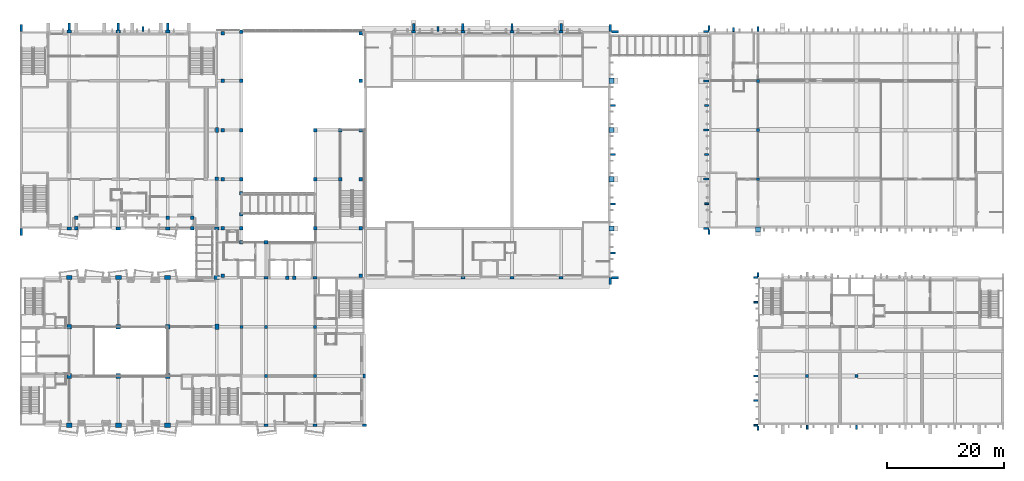
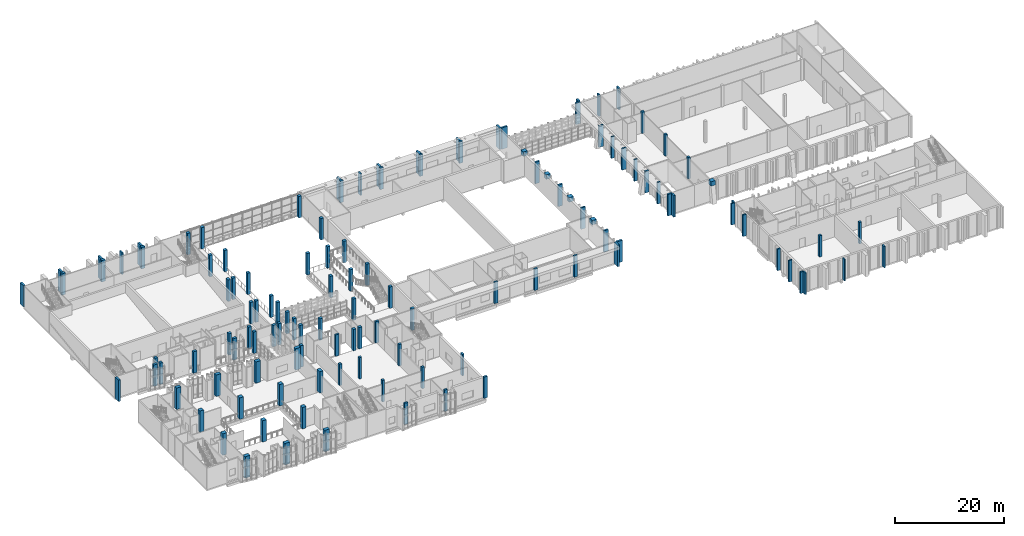
# One storey, part 1 of 86: 124 columns.
"""IFC4 building model written with IfcOpenShell, lengths in metres."""

from ifc_helpers import new_model, si_unit, direction, frame, origin, origin_2d, place, context, subcontext, project, spatial, rectangle, extrude, material, material_profile, profile_set, type_object, element, save


model = new_model("IFC4")

# Units and contexts
model_context = context("Model", 3, precision=1e-05, world=origin(), true_north=direction((0.0, 1.0)))
body_context = subcontext(model_context, "Body", "Model", "MODEL_VIEW")
ifc_project = project(units=[si_unit("LENGTHUNIT", "METRE"), si_unit("AREAUNIT", "SQUARE_METRE"), si_unit("VOLUMEUNIT", "CUBIC_METRE"), si_unit("PLANEANGLEUNIT", "RADIAN"), si_unit("MASSUNIT", "GRAM", prefix="KILO")], contexts=[model_context])

# Site, building, storey
site_placement = place(None, origin())
site = spatial("IfcSite", under=ifc_project, at=site_placement, CompositionType="ELEMENT")
building_placement = place(site_placement, origin())
building = spatial("IfcBuilding", under=site, at=building_placement, Name="Kiln Court Media Centre", CompositionType="ELEMENT")
storey_placement = place(building_placement, frame((0.0, 0.0, 10.199951171875)))
storey = spatial("IfcBuildingStorey", under=building, at=storey_placement, Name="L02", CompositionType="ELEMENT", Elevation=10.199951171875)

# Columns
ifc_material_1 = material(Name="Concrete C40/50", Category="concrete")
ifc_material_profile_1 = material_profile(ifc_material_1, rectangle(XDim=1.0, YDim=0.699951171875, at=origin_2d()), Name="RC 1000x700")
ifc_profile_set_1 = profile_set([ifc_material_profile_1], Name="Concrete C40/50")
column_type_1 = type_object("IfcColumnType", Name="Concrete C40/50 column 1000x700", PredefinedType="COLUMN", material=ifc_profile_set_1)
for number, where, z_axis, x_axis, name in (
    (1, (8.39990234375, 0.0, 0.0), (0.0, 0.0, 1.0), (1.0, 0.0, 0.0), "L02-C-1000"),
    (2, (8.39990234375, 25.199951171875, 0.0), (0.0, 0.0, 1.0), (1.0, 0.0, 0.0), "L02-C-1003"),
    (3, (16.800048828125, 0.0, 0.0), (0.0, 0.0, 1.0), (1.0, 0.0, 0.0), "L02-C-1004"),
    (4, (16.800048828125, 25.199951171875, 0.0), (0.0, 0.0, 1.0), (1.0, 0.0, 0.0), "L02-C-1007"),
    (5, (25.199951171875, 0.0, 0.0), (0.0, 0.0, 1.0), (1.0, 0.0, 0.0), "L02-C-1008"),
    (6, (25.199951171875, 25.199951171875, 0.0), (0.0, 0.0, 1.0), (1.0, 0.0, 0.0), "L02-C-1011"),
    (7, (33.60009765625, 16.800048828125, 0.0), (0.0, 0.0, 1.0), (0.0, 1.0, 0.0), "L02-C-1012"),
    (8, (33.60009765625, 25.199951171875, 0.0), (0.0, 0.0, 1.0), (1.0, 0.0, 0.0), "L02-C-1013"),
):
    element("IfcColumn", number, at=place(storey_placement, frame(where, z_axis=z_axis, x_axis=x_axis)), inside=storey, type_object=column_type_1, Name=name, PredefinedType="COLUMN", context=body_context, shape_type="SweptSolid", body=[
        extrude(rectangle(XDim=1.0, YDim=0.699951171875, at=origin_2d()), origin(), (0.0, 0.0, 1.0), 4.800048828125),
    ])
ifc_material_2 = material(Name="Concrete C40/50", Category="concrete")
ifc_material_profile_2 = material_profile(ifc_material_2, rectangle(XDim=0.5, YDim=0.5, at=origin_2d()), Name="RC 500x500")
ifc_profile_set_2 = profile_set([ifc_material_profile_2], Name="Concrete C40/50")
column_type_2 = type_object("IfcColumnType", Name="Concrete C40/50 column 500x500", PredefinedType="COLUMN", material=ifc_profile_set_2)
for number, where, z_axis, x_axis, name in (
    (9, (42.0, 8.39990234375, 0.0), (0.0, 0.0, 1.0), (1.0, 0.0, 0.0), "L02-C-1015"),
    (10, (42.0, 16.800048828125, 0.0), (0.0, 0.0, 1.0), (1.0, 0.0, 0.0), "L02-C-1016"),
    (11, (50.39990234375, 8.39990234375, 0.0), (0.0, 0.0, 1.0), (1.0, 0.0, 0.0), "L02-C-1019"),
    (12, (50.39990234375, 16.800048828125, 0.0), (0.0, 0.0, 1.0), (1.0, 0.0, 0.0), "L02-C-1020"),
    (13, (126.0, 42.0, 0.0), (0.0, 0.0, 1.0), (1.0, 0.0, 0.0), "L02-C-1042"),
    (14, (126.0, 50.39990234375, 0.0), (0.0, 0.0, 1.0), (1.0, 0.0, 0.0), "L02-C-1043"),
    (15, (126.0, 58.800048828125, 0.0), (0.0, 0.0, 1.0), (1.0, 0.0, 0.0), "L02-C-1044"),
    (16, (134.39990234375, 8.39990234375, 0.0), (0.0, 0.0, 1.0), (1.0, 0.0, 0.0), "L02-C-1057"),
    (17, (142.800048828125, 8.39990234375, 0.0), (0.0, 0.0, 1.0), (1.0, 0.0, 0.0), "L02-C-1060"),
    (18, (37.801025390625, 16.800048828125, 0.0), (0.0, 0.0, 1.0), (1.0, 0.0, 0.0), "L02-C-1099"),
):
    element("IfcColumn", number, at=place(storey_placement, frame(where, z_axis=z_axis, x_axis=x_axis)), inside=storey, type_object=column_type_2, Name=name, PredefinedType="COLUMN", context=body_context, shape_type="SweptSolid", body=[
        extrude(rectangle(XDim=0.5, YDim=0.5, at=origin_2d()), origin(), (0.0, 0.0, 1.0), 4.800048828125),
    ])
ifc_material_3 = material(Name="Concrete C40/50", Category="concrete")
ifc_material_profile_3 = material_profile(ifc_material_3, rectangle(XDim=0.60009765625, YDim=0.60009765625, at=origin_2d()), Name="RC 600x600")
ifc_profile_set_3 = profile_set([ifc_material_profile_3], Name="Concrete C40/50")
column_type_3 = type_object("IfcColumnType", Name="Concrete C40/50 column 600x600", PredefinedType="COLUMN", material=ifc_profile_set_3)
for number, where, z_axis, x_axis, name in (
    (19, (50.39990234375, 33.60009765625, 0.0), (0.0, 0.0, 1.0), (1.0, 0.0, 0.0), "L02-C-1032"),
    (20, (50.39990234375, 42.0, 0.0), (0.0, 0.0, 1.0), (1.0, 0.0, 0.0), "L02-C-1033"),
    (21, (50.39990234375, 50.39990234375, 0.0), (0.0, 0.0, 1.0), (1.0, 0.0, 0.0), "L02-C-1034"),
    (22, (34.64990234375, 25.5, 0.0), (0.0, 0.0, 1.0), (1.0, 0.0, 0.0), "L02-C-1068"),
    (23, (34.64990234375, 33.60009765625, 0.0), (0.0, 0.0, 1.0), (1.0, 0.0, 0.0), "L02-C-1069"),
    (24, (34.64990234375, 42.0, 0.0), (0.0, 0.0, 1.0), (1.0, 0.0, 0.0), "L02-C-1070"),
    (25, (34.64990234375, 50.39990234375, 0.0), (0.0, 0.0, 1.0), (1.0, 0.0, 0.0), "L02-C-1071"),
    (26, (34.64990234375, 58.800048828125, 0.0), (0.0, 0.0, 1.0), (1.0, 0.0, 0.0), "L02-C-1072"),
    (27, (34.64990234375, 66.89990234375, 0.0), (0.0, 0.0, 1.0), (1.0, 0.0, 0.0), "L02-C-1073"),
    (28, (58.14990234375, 25.5, 0.0), (0.0, 0.0, 1.0), (1.0, 0.0, 0.0), "L02-C-1074"),
    (29, (58.14990234375, 33.60009765625, 0.0), (0.0, 0.0, 1.0), (1.0, 0.0, 0.0), "L02-C-1075"),
    (30, (58.14990234375, 42.0, 0.0), (0.0, 0.0, 1.0), (1.0, 0.0, 0.0), "L02-C-1076"),
    (31, (58.14990234375, 50.39990234375, 0.0), (0.0, 0.0, 1.0), (1.0, 0.0, 0.0), "L02-C-1077"),
    (32, (58.14990234375, 58.800048828125, 0.0), (0.0, 0.0, 1.0), (1.0, 0.0, 0.0), "L02-C-1078"),
    (33, (58.14990234375, 66.89990234375, 0.0), (0.0, 0.0, 1.0), (1.0, 0.0, 0.0), "L02-C-1079"),
    (34, (33.60009765625, 42.050048828125, 0.0), (0.0, 0.0, 1.0), (1.0, 0.0, 0.0), "L02-C-1089"),
    (35, (45.59912109375, 25.199951171875, 0.0), (0.0, 0.0, 1.0), (1.0, 0.0, 0.0), "L02-C-1090"),
    (36, (46.801025390625, 25.199951171875, 0.0), (0.0, 0.0, 1.0), (1.0, 0.0, 0.0), "L02-C-1091"),
    (37, (9.60009765625, 35.39990234375, 0.0), (0.0, 0.0, 1.0), (1.0, 0.0, 0.0), "L02-C-1092"),
    (38, (9.60107421875, 33.60009765625, 0.0), (0.0, 0.0, 1.0), (1.0, 0.0, 0.0), "L02-C-1093"),
    (39, (25.199951171875, 35.39892578125, 0.0), (0.0, 0.0, 1.0), (1.0, 0.0, 0.0), "L02-C-1094"),
    (40, (29.39892578125, 33.60009765625, 0.0), (0.0, 0.0, 1.0), (1.0, 0.0, 0.0), "L02-C-1095"),
    (41, (29.39990234375, 35.39990234375, 0.0), (0.0, 0.0, 1.0), (1.0, 0.0, 0.0), "L02-C-1096"),
    (42, (37.800048828125, 31.199951171875, 0.0), (0.0, 0.0, 1.0), (1.0, 0.0, 0.0), "L02-C-1100"),
    (43, (37.800048828125, 67.199951171875, 0.0), (0.0, 0.0, 1.0), (1.0, 0.0, 0.0), "L02-C-1101"),
    (44, (37.801025390625, 33.60009765625, 0.0), (0.0, 0.0, 1.0), (1.0, 0.0, 0.0), "L02-C-1102"),
    (45, (37.801025390625, 42.0, 0.0), (0.0, 0.0, 1.0), (1.0, 0.0, 0.0), "L02-C-1103"),
    (46, (37.801025390625, 50.39990234375, 0.0), (0.0, 0.0, 1.0), (1.0, 0.0, 0.0), "L02-C-1104"),
    (47, (37.801025390625, 58.800048828125, 0.0), (0.0, 0.0, 1.0), (1.0, 0.0, 0.0), "L02-C-1105"),
    (48, (42.0, 31.200927734375, 0.0), (0.0, 0.0, 1.0), (1.0, 0.0, 0.0), "L02-C-1106"),
    (49, (37.800048828125, 36.0, 0.0), (0.0, 0.0, 1.0), (1.0, 0.0, 0.0), "L02-C-1107"),
    (50, (37.800048828125, 39.60009765625, 0.0), (0.0, 0.0, 1.0), (1.0, 0.0, 0.0), "L02-C-1108"),
    (51, (54.65087890625, 42.0, 0.0), (0.0, 0.0, 1.0), (1.0, 0.0, 0.0), "L02-C-1109"),
    (52, (54.65087890625, 50.39990234375, 0.0), (0.0, 0.0, 1.0), (1.0, 0.0, 0.0), "L02-C-1110"),
):
    element("IfcColumn", number, at=place(storey_placement, frame(where, z_axis=z_axis, x_axis=x_axis)), inside=storey, type_object=column_type_3, Name=name, PredefinedType="COLUMN", context=body_context, shape_type="SweptSolid", body=[
        extrude(rectangle(XDim=0.60009765625, YDim=0.60009765625, at=origin_2d()), origin(), (0.0, 0.0, 1.0), 4.800048828125),
    ])
ifc_material_4 = material(Name="Concrete C40/50", Category="concrete")
ifc_material_profile_4 = material_profile(ifc_material_4, rectangle(XDim=0.699951171875, YDim=0.39990234375, at=origin_2d()), Name="RC 700x400")
ifc_profile_set_4 = profile_set([ifc_material_profile_4], Name="Concrete C40/50")
column_type_4 = type_object("IfcColumnType", Name="Concrete C40/50 column 700x400", PredefinedType="COLUMN", material=ifc_profile_set_4)
for number, where, z_axis, x_axis, name in (
    (53, (42.0, 0.0, 0.0), (0.0, 0.0, 1.0), (1.0, 0.0, 0.0), "L02-C-1014"),
    (54, (42.0, 25.199951171875, 0.0), (0.0, 0.0, 1.0), (1.0, 0.0, 0.0), "L02-C-1017"),
    (55, (50.39990234375, 0.0, 0.0), (0.0, 0.0, 1.0), (1.0, 0.0, 0.0), "L02-C-1018"),
    (56, (50.39990234375, 25.199951171875, 0.0), (0.0, 0.0, 1.0), (1.0, 0.0, 0.0), "L02-C-1021"),
    (57, (58.800048828125, 0.0, 0.0), (0.0, 0.0, 1.0), (1.0, 0.0, 0.0), "L02-C-1022"),
    (58, (58.800048828125, 8.39990234375, 0.0), (0.0, 0.0, 1.0), (0.0, 1.0, 0.0), "L02-C-1023"),
    (59, (67.199951171875, 67.199951171875, 0.0), (0.0, 0.0, 1.0), (1.0, 0.0, 0.0), "L02-C-1035"),
    (60, (75.60009765625, 25.199951171875, 0.0), (0.0, 0.0, 1.0), (1.0, 0.0, 0.0), "L02-C-1036"),
    (61, (75.60009765625, 67.199951171875, 0.0), (0.0, 0.0, 1.0), (1.0, 0.0, 0.0), "L02-C-1037"),
    (62, (84.0, 25.199951171875, 0.0), (0.0, 0.0, 1.0), (1.0, 0.0, 0.0), "L02-C-1038"),
    (63, (84.0, 67.199951171875, 0.0), (0.0, 0.0, 1.0), (1.0, 0.0, 0.0), "L02-C-1039"),
    (64, (92.39990234375, 25.199951171875, 0.0), (0.0, 0.0, 1.0), (1.0, 0.0, 0.0), "L02-C-1040"),
    (65, (92.39990234375, 67.199951171875, 0.0), (0.0, 0.0, 1.0), (1.0, 0.0, 0.0), "L02-C-1041"),
):
    element("IfcColumn", number, at=place(storey_placement, frame(where, z_axis=z_axis, x_axis=x_axis)), inside=storey, type_object=column_type_4, Name=name, PredefinedType="COLUMN", context=body_context, shape_type="SweptSolid", body=[
        extrude(rectangle(XDim=0.699951171875, YDim=0.39990234375, at=origin_2d()), origin(), (0.0, 0.0, 1.0), 4.800048828125),
    ])
ifc_material_5 = material(Name="Concrete C40/50", Category="concrete")
ifc_material_profile_5 = material_profile(ifc_material_5, rectangle(XDim=0.800048828125, YDim=0.5, at=origin_2d()), Name="RC 800x500")
ifc_profile_set_5 = profile_set([ifc_material_profile_5], Name="Concrete C40/50")
column_type_5 = type_object("IfcColumnType", Name="Concrete C40/50 column 800x500", PredefinedType="COLUMN", material=ifc_profile_set_5)
for number, where, z_axis, x_axis, name in (
    (66, (8.39990234375, 33.60009765625, 0.0), (0.0, 0.0, 1.0), (1.0, 0.0, 0.0), "L02-C-1024"),
    (67, (8.39990234375, 67.199951171875, 0.0), (0.0, 0.0, 1.0), (1.0, 0.0, 0.0), "L02-C-1025"),
    (68, (16.800048828125, 33.60009765625, 0.0), (0.0, 0.0, 1.0), (1.0, 0.0, 0.0), "L02-C-1026"),
    (69, (16.800048828125, 67.199951171875, 0.0), (0.0, 0.0, 1.0), (1.0, 0.0, 0.0), "L02-C-1027"),
    (70, (25.199951171875, 33.60009765625, 0.0), (0.0, 0.0, 1.0), (1.0, 0.0, 0.0), "L02-C-1028"),
    (71, (25.199951171875, 67.199951171875, 0.0), (0.0, 0.0, 1.0), (1.0, 0.0, 0.0), "L02-C-1029"),
    (72, (33.60009765625, 33.60009765625, 0.0), (0.0, 0.0, 1.0), (1.0, 0.0, 0.0), "L02-C-1030"),
    (73, (33.60009765625, 50.39990234375, 0.0), (0.0, 0.0, 1.0), (0.0, 1.0, 0.0), "L02-C-1031"),
):
    element("IfcColumn", number, at=place(storey_placement, frame(where, z_axis=z_axis, x_axis=x_axis)), inside=storey, type_object=column_type_5, Name=name, PredefinedType="COLUMN", context=body_context, shape_type="SweptSolid", body=[
        extrude(rectangle(XDim=0.800048828125, YDim=0.5, at=origin_2d()), origin(), (0.0, 0.0, 1.0), 4.800048828125),
    ])
ifc_material_6 = material(Name="Concrete C40/50", Category="concrete")
ifc_material_profile_6 = material_profile(ifc_material_6, rectangle(XDim=0.800048828125, YDim=0.800048828125, at=origin_2d()), Name="RC 800x800")
ifc_profile_set_6 = profile_set([ifc_material_profile_6], Name="Concrete C40/50")
column_type_6 = type_object("IfcColumnType", Name="Concrete C40/50 column 800x800", PredefinedType="COLUMN", material=ifc_profile_set_6)
for number, where, z_axis, x_axis, name in (
    (74, (8.39990234375, 8.39990234375, 0.0), (0.0, 0.0, 1.0), (1.0, 0.0, 0.0), "L02-C-1001"),
    (75, (8.39990234375, 16.800048828125, 0.0), (0.0, 0.0, 1.0), (1.0, 0.0, 0.0), "L02-C-1002"),
    (76, (16.800048828125, 8.39990234375, 0.0), (0.0, 0.0, 1.0), (1.0, 0.0, 0.0), "L02-C-1005"),
    (77, (16.800048828125, 16.800048828125, 0.0), (0.0, 0.0, 1.0), (1.0, 0.0, 0.0), "L02-C-1006"),
    (78, (25.199951171875, 8.39990234375, 0.0), (0.0, 0.0, 1.0), (1.0, 0.0, 0.0), "L02-C-1009"),
    (79, (25.199951171875, 16.800048828125, 0.0), (0.0, 0.0, 1.0), (1.0, 0.0, 0.0), "L02-C-1010"),
):
    element("IfcColumn", number, at=place(storey_placement, frame(where, z_axis=z_axis, x_axis=x_axis)), inside=storey, type_object=column_type_6, Name=name, PredefinedType="COLUMN", context=body_context, shape_type="SweptSolid", body=[
        extrude(rectangle(XDim=0.800048828125, YDim=0.800048828125, at=origin_2d()), origin(), (0.0, 0.0, 1.0), 4.800048828125),
    ])
ifc_material_7 = material(Name="Concrete C40/50", Category="concrete")
ifc_material_profile_7 = material_profile(ifc_material_7, rectangle(XDim=0.89990234375, YDim=0.89990234375, at=origin_2d()), Name="RC 900x900")
ifc_profile_set_7 = profile_set([ifc_material_profile_7], Name="Concrete C40/50")
column_type_7 = type_object("IfcColumnType", Name="Concrete C40/50 column 900x900", PredefinedType="COLUMN", material=ifc_profile_set_7)
for number, where, z_axis, x_axis, name in (
    (80, (100.98681640625, 33.60009765625, 3.800048828125), (0.0, 0.0, 1.0), (1.0, 0.0, 0.0), "L02-C-1080"),
    (81, (100.98681640625, 42.0, 3.800048828125), (0.0, 0.0, 1.0), (1.0, 0.0, 0.0), "L02-C-1081"),
    (82, (100.98681640625, 50.39990234375, 3.800048828125), (0.0, 0.0, 1.0), (1.0, 0.0, 0.0), "L02-C-1082"),
    (83, (100.98681640625, 58.800048828125, 3.800048828125), (0.0, 0.0, 1.0), (1.0, 0.0, 0.0), "L02-C-1083"),
    (84, (126.0, 33.4267578125, 3.800048828125), (0.0, 0.0, 1.0), (1.0, 0.0, 0.0), "L02-C-1084"),
):
    element("IfcColumn", number, at=place(storey_placement, frame(where, z_axis=z_axis, x_axis=x_axis)), inside=storey, type_object=column_type_7, Name=name, PredefinedType="COLUMN", context=body_context, shape_type="SweptSolid", body=[
        extrude(rectangle(XDim=0.89990234375, YDim=0.89990234375, at=origin_2d()), origin(), (0.0, 0.0, 1.0), 1.0),
    ])
ifc_material_8 = material(Name="Concrete C40/50", Category="concrete")
ifc_material_profile_8 = material_profile(ifc_material_8, rectangle(XDim=0.300048828125, YDim=0.699951171875, at=origin_2d()), Name="RC 300x700")
ifc_profile_set_8 = profile_set([ifc_material_profile_8], Name="Concrete C40/50")
column_type_8 = type_object("IfcColumnType", Name="Concrete C40/50 pilaster rib 300x700", PredefinedType="PILASTER", material=ifc_profile_set_8)
for number, where, z_axis, x_axis, name in (
    (85, (121.800048828125, 67.550048828125, 0.0), (0.0, 0.0, 1.0), (1.0, 0.0, 0.0), "V2 N rib L02"),
    (86, (117.25, 37.800048828125, 0.0), (0.0, 0.0, 1.0), (0.0, 1.0, 0.0), "V2 W rib L02"),
    (87, (117.25, 46.199951171875, 0.0), (0.0, 0.0, 1.0), (0.0, 1.0, 0.0), "V2 W rib L02"),
    (88, (117.25, 54.60009765625, 0.0), (0.0, 0.0, 1.0), (0.0, 1.0, 0.0), "V2 W rib L02"),
    (89, (126.0, -0.5, 0.0), (0.0, 0.0, 1.0), (1.0, 0.0, 0.0), "V5 S rib L02"),
    (90, (134.39990234375, -0.35009765625, 0.0), (0.0, 0.0, 1.0), (1.0, 0.0, 0.0), "V5 S rib L02"),
    (91, (142.800048828125, -0.35009765625, 0.0), (0.0, 0.0, 1.0), (1.0, 0.0, 0.0), "V5 S rib L02"),
    (92, (126.0, 25.699951171875, 0.0), (0.0, 0.0, 1.0), (1.0, 0.0, 0.0), "V5 N rib L02"),
    (93, (125.64990234375, 0.0, 0.0), (0.0, 0.0, 1.0), (0.0, 1.0, 0.0), "V5 W rib L02"),
    (94, (125.64990234375, 4.199951171875, 0.0), (0.0, 0.0, 1.0), (0.0, 1.0, 0.0), "V5 W rib L02"),
    (95, (125.64990234375, 8.39990234375, 0.0), (0.0, 0.0, 1.0), (0.0, 1.0, 0.0), "V5 W rib L02"),
    (96, (125.64990234375, 21.0, 0.0), (0.0, 0.0, 1.0), (0.0, 1.0, 0.0), "V5 W rib L02"),
    (97, (125.64990234375, 25.199951171875, 0.0), (0.0, 0.0, 1.0), (0.0, 1.0, 0.0), "V5 W rib L02"),
):
    element("IfcColumn", number, at=place(storey_placement, frame(where, z_axis=z_axis, x_axis=x_axis)), inside=storey, type_object=column_type_8, Name=name, PredefinedType="PILASTER", context=body_context, shape_type="SweptSolid", body=[
        extrude(rectangle(XDim=0.300048828125, YDim=0.699951171875, at=origin_2d()), origin(), (0.0, 0.0, 1.0), 4.800048828125),
    ])
ifc_material_9 = material(Name="Concrete C40/50", Category="concrete")
ifc_material_profile_9 = material_profile(ifc_material_9, rectangle(XDim=0.35009765625, YDim=0.89990234375, at=origin_2d()), Name="RC 350x900")
ifc_profile_set_9 = profile_set([ifc_material_profile_9], Name="Concrete C40/50")
column_type_9 = type_object("IfcColumnType", Name="Concrete C40/50 pilaster rib 350x900", PredefinedType="PILASTER", material=ifc_profile_set_9)
for number, where, z_axis, x_axis, name in (
    (98, (101.25, 29.39990234375, 0.0), (0.0, 0.0, 1.0), (0.0, 1.0, 0.0), "V1 E rib L02"),
    (99, (101.25, 37.800048828125, 0.0), (0.0, 0.0, 1.0), (0.0, 1.0, 0.0), "V1 E rib L02"),
    (100, (101.25, 46.199951171875, 0.0), (0.0, 0.0, 1.0), (0.0, 1.0, 0.0), "V1 E rib L02"),
    (101, (101.25, 54.60009765625, 0.0), (0.0, 0.0, 1.0), (0.0, 1.0, 0.0), "V1 E rib L02"),
    (102, (71.39990234375, 67.64990234375, 0.0), (0.0, 0.0, 1.0), (1.0, 0.0, 0.0), "V1 N rib L02"),
    (103, (117.60009765625, 32.97509765625, 0.0), (0.0, 0.0, 1.0), (1.0, 0.0, 0.0), "V2 S rib L02"),
    (104, (117.60009765625, 67.824951171875, 0.0), (0.0, 0.0, 1.0), (1.0, 0.0, 0.0), "V2 N rib L02"),
    (105, (126.0, 67.64990234375, 0.0), (0.0, 0.0, 1.0), (1.0, 0.0, 0.0), "V2 N rib L02"),
    (106, (117.14990234375, 33.60009765625, 0.0), (0.0, 0.0, 1.0), (0.0, 1.0, 0.0), "V2 W rib L02"),
    (107, (117.14990234375, 42.0, 0.0), (0.0, 0.0, 1.0), (0.0, 1.0, 0.0), "V2 W rib L02"),
    (108, (117.14990234375, 50.39990234375, 0.0), (0.0, 0.0, 1.0), (0.0, 1.0, 0.0), "V2 W rib L02"),
    (109, (117.14990234375, 58.800048828125, 0.0), (0.0, 0.0, 1.0), (0.0, 1.0, 0.0), "V2 W rib L02"),
    (110, (117.14990234375, 67.199951171875, 0.0), (0.0, 0.0, 1.0), (0.0, 1.0, 0.0), "V2 W rib L02"),
    (111, (21.0, 67.64990234375, 0.0), (0.0, 0.0, 1.0), (1.0, 0.0, 0.0), "V4 N rib L02"),
):
    element("IfcColumn", number, at=place(storey_placement, frame(where, z_axis=z_axis, x_axis=x_axis)), inside=storey, type_object=column_type_9, Name=name, PredefinedType="PILASTER", context=body_context, shape_type="SweptSolid", body=[
        extrude(rectangle(XDim=0.35009765625, YDim=0.89990234375, at=origin_2d()), origin(), (0.0, 0.0, 1.0), 4.800048828125),
    ])
ifc_material_10 = material(Name="Concrete C40/50", Category="concrete")
ifc_material_profile_10 = material_profile(ifc_material_10, rectangle(XDim=0.39990234375, YDim=1.199951171875, at=origin_2d()), Name="RC 400x1200")
ifc_profile_set_10 = profile_set([ifc_material_profile_10], Name="Concrete C40/50")
column_type_10 = type_object("IfcColumnType", Name="Concrete C40/50 pilaster rib 400x1200", PredefinedType="PILASTER", material=ifc_profile_set_10)
for number, where, z_axis, x_axis, name in (
    (112, (100.800048828125, 24.60009765625, 0.0), (0.0, 0.0, 1.0), (1.0, 0.0, 0.0), "V1 S rib L02"),
    (113, (101.60009765625, 25.199951171875, 0.0), (0.0, 0.0, 1.0), (0.0, 1.0, 0.0), "V1 E rib L02"),
    (114, (101.60009765625, 67.199951171875, 0.0), (0.0, 0.0, 1.0), (0.0, 1.0, 0.0), "V1 E rib L02"),
    (115, (67.199951171875, 68.0, 0.0), (0.0, 0.0, 1.0), (1.0, 0.0, 0.0), "V1 N rib L02"),
    (116, (75.60009765625, 68.0, 0.0), (0.0, 0.0, 1.0), (1.0, 0.0, 0.0), "V1 N rib L02"),
    (117, (84.0, 68.0, 0.0), (0.0, 0.0, 1.0), (1.0, 0.0, 0.0), "V1 N rib L02"),
    (118, (92.39990234375, 68.0, 0.0), (0.0, 0.0, 1.0), (1.0, 0.0, 0.0), "V1 N rib L02"),
    (119, (100.800048828125, 67.800048828125, 0.0), (0.0, 0.0, 1.0), (1.0, 0.0, 0.0), "V1 N rib L02"),
    (120, (0.199951171875, 33.0, 0.0), (0.0, 0.0, 1.0), (1.0, 0.0, 0.0), "V4 S rib L02"),
    (121, (0.199951171875, 67.800048828125, 0.0), (0.0, 0.0, 1.0), (1.0, 0.0, 0.0), "V4 N rib L02"),
    (122, (8.39990234375, 68.050048828125, 0.0), (0.0, 0.0, 1.0), (1.0, 0.0, 0.0), "V4 N rib L02"),
    (123, (16.800048828125, 68.050048828125, 0.0), (0.0, 0.0, 1.0), (1.0, 0.0, 0.0), "V4 N rib L02"),
    (124, (25.199951171875, 68.050048828125, 0.0), (0.0, 0.0, 1.0), (1.0, 0.0, 0.0), "V4 N rib L02"),
):
    element("IfcColumn", number, at=place(storey_placement, frame(where, z_axis=z_axis, x_axis=x_axis)), inside=storey, type_object=column_type_10, Name=name, PredefinedType="PILASTER", context=body_context, shape_type="SweptSolid", body=[
        extrude(rectangle(XDim=0.39990234375, YDim=1.199951171875, at=origin_2d()), origin(), (0.0, 0.0, 1.0), 4.800048828125),
    ])

save(model, "model.ifc")
